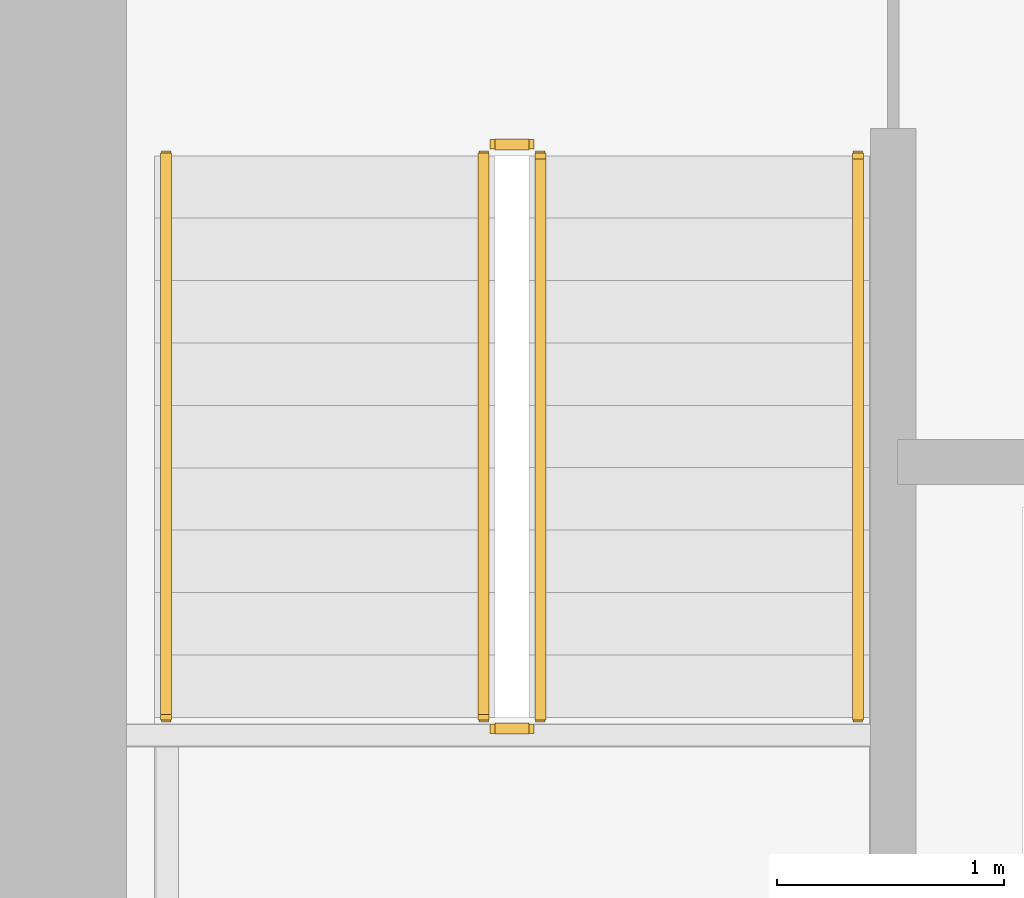
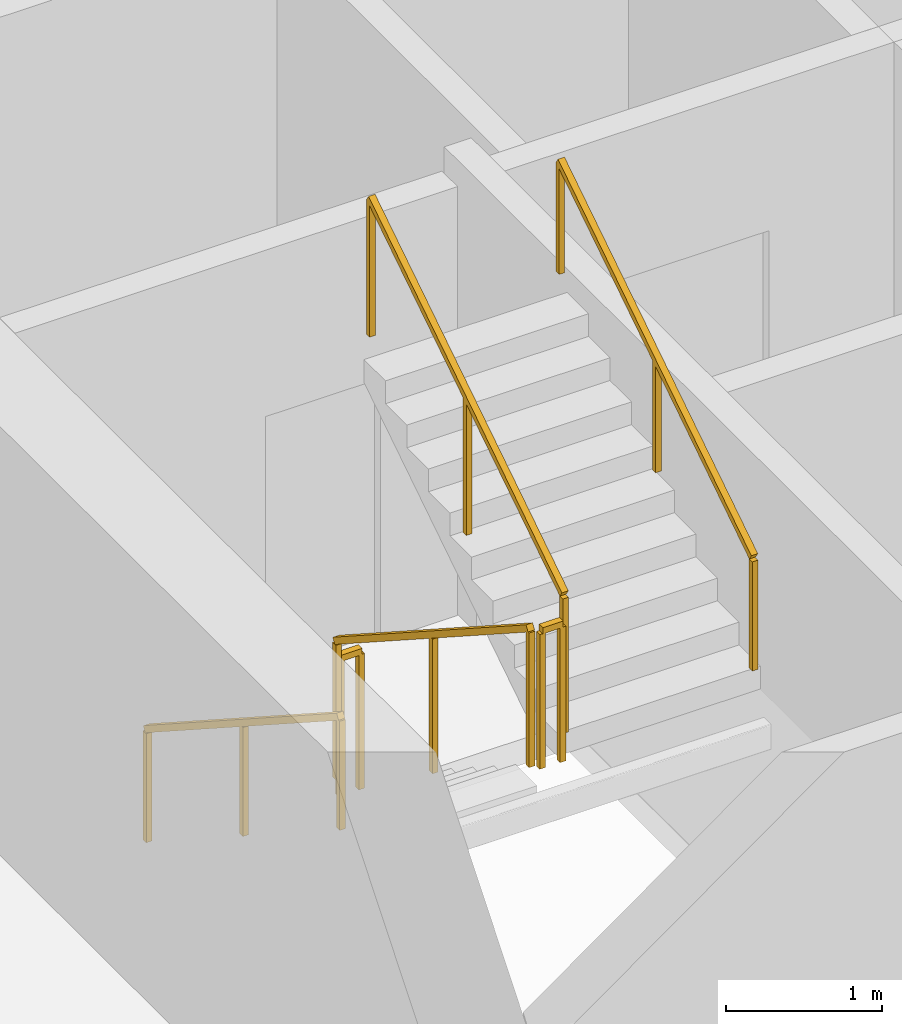
# One storey, part 8 of 10: 6 railings.
"""IFC4 building model written with IfcOpenShell, lengths in metres."""

from ifc_helpers import new_model, si_unit, direction, frame, origin, origin_2d, place, context, subcontext, project, spatial, rectangle, extrude, material, type_object, element, save


model = new_model("IFC4")

# Units and contexts
model_context = context("Model", 3, precision=1e-05, world=origin(), true_north=direction((0.0, 1.0)))
body_context = subcontext(model_context, "Body", "Model", "MODEL_VIEW")
ifc_project = project(units=[si_unit("LENGTHUNIT", "METRE"), si_unit("AREAUNIT", "SQUARE_METRE"), si_unit("VOLUMEUNIT", "CUBIC_METRE"), si_unit("PLANEANGLEUNIT", "RADIAN"), si_unit("MASSUNIT", "GRAM", prefix="KILO")], contexts=[model_context])

# Site, building, storey
site_placement = place(None, origin())
site = spatial("IfcSite", under=ifc_project, at=site_placement, CompositionType="ELEMENT")
building_placement = place(site_placement, origin())
building = spatial("IfcBuilding", under=site, at=building_placement, Name="Cinnabar Lancet Tower", CompositionType="ELEMENT")
storey_placement = place(building_placement, frame((0.0, 0.0, 171.89990234375)))
storey = spatial("IfcBuildingStorey", under=building, at=storey_placement, Name="L45", CompositionType="ELEMENT", Elevation=171.89990234375)

# Railings
ifc_material_1 = material(Name="Painted galvanized steel balustrade", Category="steel")
railing_type_1 = type_object("IfcRailingType", Name="GUARD-STAIR", PredefinedType="GUARDRAIL", material=ifc_material_1)
railing_1_placement = place(storey_placement, frame((24.97509765625, 28.39990234375, 0.177490234375)))
element("IfcRailing", 1, at=railing_1_placement, inside=storey, type_object=railing_type_1, Name="L45 ST-1 stair guard 1", PredefinedType="GUARDRAIL", context=body_context, shape_type="SweptSolid", body=[
    extrude(rectangle(XDim=0.048095703125, YDim=0.048095703125, at=origin_2d()), frame((0.0, 0.0, 1.076171875), z_axis=(0.0, -0.84014559416, 0.542360932049), x_axis=(1.0, 0.0, 0.0)), (0.0, 0.0, 1.0), 2.94580078125),
    extrude(rectangle(XDim=0.0419921875, YDim=0.0419921875, at=origin_2d()), origin(), (0.0, 0.0, 1.0), 1.052001953125),
    extrude(rectangle(XDim=0.0419921875, YDim=0.0419921875, at=origin_2d()), frame((0.0, -1.2373046875, 0.798828125)), (0.0, 0.0, 1.0), 1.052001953125),
    extrude(rectangle(XDim=0.0419921875, YDim=0.0419921875, at=origin_2d()), frame((0.0, -2.474853515625, 1.59765625)), (0.0, 0.0, 1.0), 1.052001953125),
])
railing_2_placement = place(storey_placement, frame((25.02490234375, 25.875, 1.775146484375)))
element("IfcRailing", 2, at=railing_2_placement, inside=storey, type_object=railing_type_1, Name="L45 ST-1 stair guard 2", PredefinedType="GUARDRAIL", context=body_context, shape_type="SweptSolid", body=[
    extrude(rectangle(XDim=0.048095703125, YDim=0.048095703125, at=origin_2d()), frame((0.0, 0.0, 1.076171875), z_axis=(1.0, 0.0, 0.0), x_axis=(0.0, 1.0, 0.0)), (0.0, 0.0, 1.0), 0.150146484375),
    extrude(rectangle(XDim=0.0419921875, YDim=0.0419921875, at=origin_2d()), origin(), (0.0, 0.0, 1.0), 1.052001953125),
    extrude(rectangle(XDim=0.0419921875, YDim=0.0419921875, at=origin_2d()), frame((0.150146484375, 0.0, 0.0)), (0.0, 0.0, 1.0), 1.052001953125),
])
railing_3_placement = place(storey_placement, frame((25.22509765625, 25.925048828125, 1.95263671875)))
element("IfcRailing", 3, at=railing_3_placement, inside=storey, type_object=railing_type_1, Name="L45 ST-1 stair guard 3", PredefinedType="GUARDRAIL", context=body_context, shape_type="SweptSolid", body=[
    extrude(rectangle(XDim=0.048095703125, YDim=0.048095703125, at=origin_2d()), frame((0.0, 0.0, 1.076171875), z_axis=(0.0, 0.840183358697, 0.542302428327), x_axis=(-1.0, 0.0, 0.0)), (0.0, 0.0, 1.0), 2.945556640625),
    extrude(rectangle(XDim=0.0419921875, YDim=0.0419921875, at=origin_2d()), origin(), (0.0, 0.0, 1.0), 1.052001953125),
    extrude(rectangle(XDim=0.0419921875, YDim=0.0419921875, at=origin_2d()), frame((0.0, 1.2373046875, 0.798828125)), (0.0, 0.0, 1.0), 1.052001953125),
    extrude(rectangle(XDim=0.0419921875, YDim=0.0419921875, at=origin_2d()), frame((0.0, 2.474853515625, 1.597412109375)), (0.0, 0.0, 1.0), 1.052001953125),
])
railing_4_placement = place(storey_placement, frame((25.02490234375, 28.449951171875, 0.0)))
element("IfcRailing", 4, at=railing_4_placement, inside=storey, type_object=railing_type_1, Name="L45 ST-1 stair guard 4", PredefinedType="GUARDRAIL", context=body_context, shape_type="SweptSolid", body=[
    extrude(rectangle(XDim=0.048095703125, YDim=0.048095703125, at=origin_2d()), frame((0.0, 0.0, 1.076171875), z_axis=(1.0, 0.0, 0.0), x_axis=(0.0, 1.0, 0.0)), (0.0, 0.0, 1.0), 0.150146484375),
    extrude(rectangle(XDim=0.0419921875, YDim=0.0419921875, at=origin_2d()), origin(), (0.0, 0.0, 1.0), 1.052001953125),
    extrude(rectangle(XDim=0.0419921875, YDim=0.0419921875, at=origin_2d()), frame((0.150146484375, 0.0, 0.0)), (0.0, 0.0, 1.0), 1.052001953125),
])
ifc_material_2 = material(Name="Brushed stainless steel handrail", Category="steel")
railing_type_2 = type_object("IfcRailingType", Name="HANDRAIL-STAIR", PredefinedType="HANDRAIL", material=ifc_material_2)
railing_5_placement = place(storey_placement, frame((23.574951171875, 28.39990234375, 0.177490234375)))
element("IfcRailing", 5, at=railing_5_placement, inside=storey, type_object=railing_type_2, Name="L45 ST-1 stair handrail 1", PredefinedType="HANDRAIL", context=body_context, shape_type="SweptSolid", body=[
    extrude(rectangle(XDim=0.048095703125, YDim=0.048095703125, at=origin_2d()), frame((0.0, 0.0, 0.8759765625), z_axis=(0.0, -0.84014559416, 0.542360932049), x_axis=(1.0, 0.0, 0.0)), (0.0, 0.0, 1.0), 2.94580078125),
    extrude(rectangle(XDim=0.0419921875, YDim=0.0419921875, at=origin_2d()), origin(), (0.0, 0.0, 1.0), 0.851806640625),
    extrude(rectangle(XDim=0.0419921875, YDim=0.0419921875, at=origin_2d()), frame((0.0, -1.2373046875, 0.798828125)), (0.0, 0.0, 1.0), 0.851806640625),
    extrude(rectangle(XDim=0.0419921875, YDim=0.0419921875, at=origin_2d()), frame((0.0, -2.474853515625, 1.59765625)), (0.0, 0.0, 1.0), 0.851806640625),
])
railing_6_placement = place(storey_placement, frame((26.625, 25.925048828125, 1.95263671875)))
element("IfcRailing", 6, at=railing_6_placement, inside=storey, type_object=railing_type_2, Name="L45 ST-1 stair handrail 2", PredefinedType="HANDRAIL", context=body_context, shape_type="SweptSolid", body=[
    extrude(rectangle(XDim=0.048095703125, YDim=0.048095703125, at=origin_2d()), frame((0.0, 0.0, 0.8759765625), z_axis=(0.0, 0.840183358697, 0.542302428327), x_axis=(-1.0, 0.0, 0.0)), (0.0, 0.0, 1.0), 2.945556640625),
    extrude(rectangle(XDim=0.0419921875, YDim=0.0419921875, at=origin_2d()), origin(), (0.0, 0.0, 1.0), 0.851806640625),
    extrude(rectangle(XDim=0.0419921875, YDim=0.0419921875, at=origin_2d()), frame((0.0, 1.2373046875, 0.798828125)), (0.0, 0.0, 1.0), 0.851806640625),
    extrude(rectangle(XDim=0.0419921875, YDim=0.0419921875, at=origin_2d()), frame((0.0, 2.474853515625, 1.597412109375)), (0.0, 0.0, 1.0), 0.851806640625),
])

save(model, "model.ifc")
